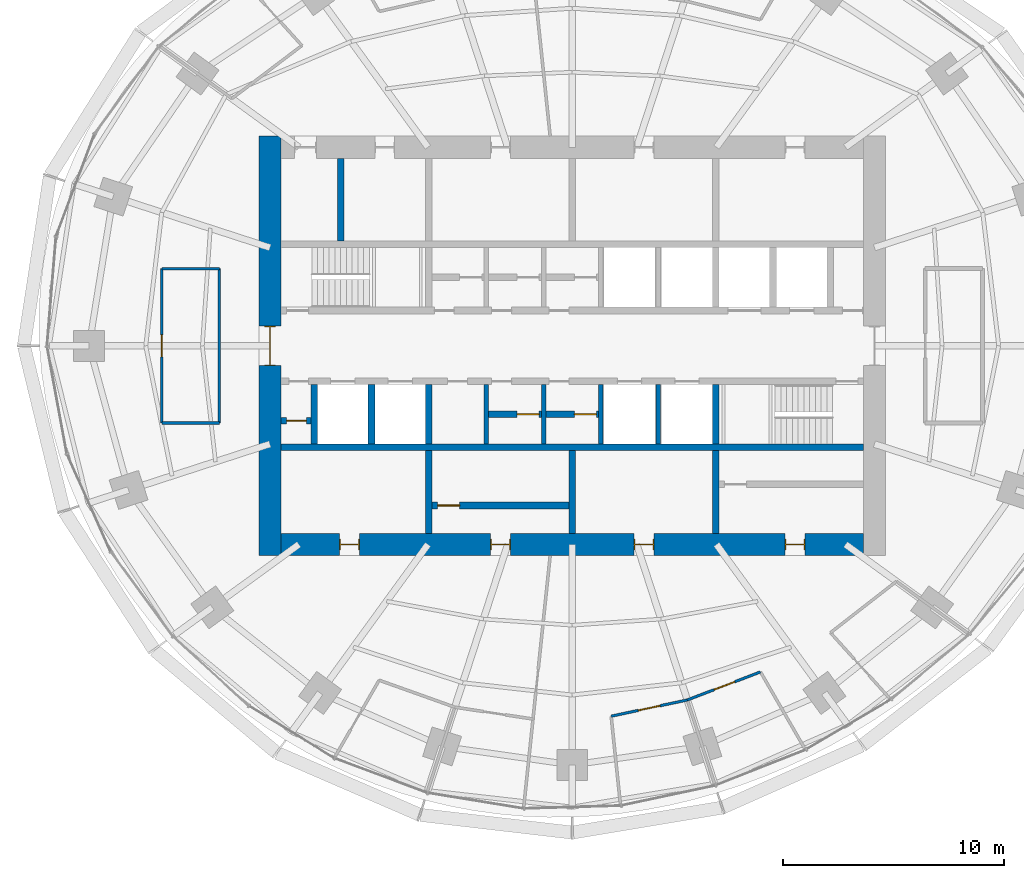
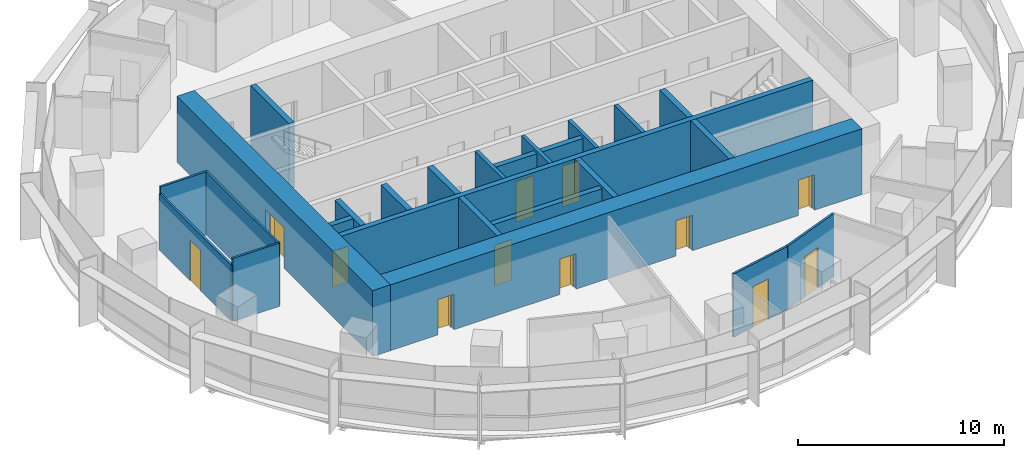
# One storey, part 10 of 15: 25 walls, 12 doors, 12 openings.
"""IFC4 building model written with IfcOpenShell, lengths in metres."""

from ifc_helpers import new_model, si_unit, direction, frame, frame_2d, origin, place, context, subcontext, project, spatial, rectangle, extrude, material, layer, layer_set, type_object, element, fill, save


model = new_model("IFC4")

# Units and contexts
model_context = context("Model", 3, precision=1e-05, world=origin(), true_north=direction((0.0, 1.0)))
body_context = subcontext(model_context, "Body", "Model", "MODEL_VIEW")
ifc_project = project(units=[si_unit("LENGTHUNIT", "METRE"), si_unit("AREAUNIT", "SQUARE_METRE"), si_unit("VOLUMEUNIT", "CUBIC_METRE"), si_unit("PLANEANGLEUNIT", "RADIAN"), si_unit("MASSUNIT", "GRAM", prefix="KILO")], contexts=[model_context])

# Site, building, storey
site_placement = place(None, origin())
site = spatial("IfcSite", under=ifc_project, at=site_placement, CompositionType="ELEMENT")
building_placement = place(site_placement, origin())
building = spatial("IfcBuilding", under=site, at=building_placement, Name="Marramba Exchange Tower", CompositionType="ELEMENT")
storey_placement = place(building_placement, frame((0.0, 0.0, 191.60009765625)))
storey = spatial("IfcBuildingStorey", under=building, at=storey_placement, Name="L46", CompositionType="ELEMENT", Elevation=191.60009765625)

# Walls
ifc_material_1 = material(Name="Concrete N50", Category="concrete")
ifc_layer_1 = layer(ifc_material_1, 0.199951171875)
ifc_layer_set_1 = layer_set([ifc_layer_1], Name="Core shaft wall 200")
wall_type_1 = type_object("IfcWallType", Name="Core shaft wall 200", PredefinedType="SHEAR", material=ifc_layer_set_1)
for number, where, z_axis, x_axis, name in (
    (1, (-3.89990234375, -1.75, 0.0), (0.0, 0.0, 1.0), (0.0, -1.0, 0.0), "Core wall SHS1 L46"),
    (2, (-1.300048828125, -1.75, 0.0), (0.0, 0.0, 1.0), (0.0, -1.0, 0.0), "Core wall SHS2 L46"),
    (3, (1.300048828125, -1.75, 0.0), (0.0, 0.0, 1.0), (0.0, -1.0, 0.0), "Core wall SHS3 L46"),
    (4, (3.89990234375, -1.75, 0.0), (0.0, 0.0, 1.0), (0.0, -1.0, 0.0), "Core wall SHS4 L46"),
):
    element("IfcWall", number, at=place(storey_placement, frame(where, z_axis=z_axis, x_axis=x_axis)), inside=storey, type_object=wall_type_1, Name=name, PredefinedType="SHEAR", context=body_context, shape_type="SweptSolid", body=[
        extrude(rectangle(XDim=2.699951171875, YDim=0.199951171875, at=frame_2d((1.35009765625, 0.0))), origin(), (0.0, 0.0, 1.0), 3.89990234375),
    ])

# Wall, openings, doors
ifc_layer_2 = layer(ifc_material_1, 1.0)
ifc_layer_set_2 = layer_set([ifc_layer_2], Name="Core wall 1000")
wall_type_2 = type_object("IfcWallType", Name="Core wall 1000", PredefinedType="SHEAR", material=ifc_layer_set_2)
wall_1_placement = place(storey_placement, frame((-13.199951171875, -9.0, 0.0), z_axis=(0.0, 0.0, 1.0), x_axis=(1.0, 0.0, 0.0)))
wall_1 = element("IfcWall", 5, at=wall_1_placement, inside=storey, type_object=wall_type_2, Name="Core wall S L46", PredefinedType="SHEAR", context=body_context, shape_type="SweptSolid", body=[
    extrude(rectangle(XDim=26.39990234375, YDim=1.0, at=frame_2d((13.199951171875, 0.0))), origin(), (0.0, 0.0, 1.0), 3.89990234375),
])
opening_1_placement = place(wall_1_placement, frame((2.64990234375, 0.0, 0.0)))
opening_1 = element("IfcOpeningElement", 6, at=opening_1_placement, cuts=wall_1, Name="Opening D5", PredefinedType="OPENING", context=body_context, shape_type="SweptSolid", body=[
    extrude(rectangle(XDim=0.89990234375, YDim=2.10009765625, at=frame_2d((0.449951171875, 1.050048828125))), frame((0.0, 0.510009765625, 0.0), z_axis=(0.0, -1.0, 0.0), x_axis=(1.0, 0.0, 0.0)), (0.0, 0.0, 1.0), 1.02001953125),
])
opening_2_placement = place(wall_1_placement, frame((9.5, 0.0, 0.0)))
opening_2 = element("IfcOpeningElement", 7, at=opening_2_placement, cuts=wall_1, Name="Opening D5", PredefinedType="OPENING", context=body_context, shape_type="SweptSolid", body=[
    extrude(rectangle(XDim=0.89990234375, YDim=2.10009765625, at=frame_2d((0.449951171875, 1.050048828125))), frame((0.0, 0.510009765625, 0.0), z_axis=(0.0, -1.0, 0.0), x_axis=(1.0, 0.0, 0.0)), (0.0, 0.0, 1.0), 1.02001953125),
])
opening_3_placement = place(wall_1_placement, frame((16.0, 0.0, 0.0)))
opening_3 = element("IfcOpeningElement", 8, at=opening_3_placement, cuts=wall_1, Name="Opening D5", PredefinedType="OPENING", context=body_context, shape_type="SweptSolid", body=[
    extrude(rectangle(XDim=0.89990234375, YDim=2.10009765625, at=frame_2d((0.449951171875, 1.050048828125))), frame((0.0, 0.510009765625, 0.0), z_axis=(0.0, -1.0, 0.0), x_axis=(1.0, 0.0, 0.0)), (0.0, 0.0, 1.0), 1.02001953125),
])
opening_4_placement = place(wall_1_placement, frame((22.85009765625, 0.0, 0.0)))
opening_4 = element("IfcOpeningElement", 9, at=opening_4_placement, cuts=wall_1, Name="Opening D5", PredefinedType="OPENING", context=body_context, shape_type="SweptSolid", body=[
    extrude(rectangle(XDim=0.89990234375, YDim=2.10009765625, at=frame_2d((0.449951171875, 1.050048828125))), frame((0.0, 0.510009765625, 0.0), z_axis=(0.0, -1.0, 0.0), x_axis=(1.0, 0.0, 0.0)), (0.0, 0.0, 1.0), 1.02001953125),
])
ifc_material_2 = material(Name="Steel-framed door", Category="steel")
door_type_1 = type_object("IfcDoorType", Name="Service door 900x2100", OperationType="SINGLE_SWING_LEFT", PredefinedType="DOOR", material=ifc_material_2)
door_1_placement = place(opening_1_placement, origin())
door_1 = element("IfcDoor", 10, at=door_1_placement, inside=storey, type_object=door_type_1, Name="D5 ahu L46", OperationType="SINGLE_SWING_LEFT", OverallHeight=2.10009765625, OverallWidth=0.89990234375, PredefinedType="DOOR", context=body_context, shape_type="SweptSolid", body=[
    extrude(rectangle(XDim=0.81982421875, YDim=2.06005859375, at=frame_2d((0.449951171875, 1.030029296875))), frame((0.0, 0.02490234375, 0.0), z_axis=(0.0, -1.0, 0.0), x_axis=(1.0, 0.0, 0.0)), (0.0, 0.0, 1.0), 0.050048828125),
    extrude(rectangle(XDim=0.04, YDim=2.10009765625, at=frame_2d((0.02001953125, 1.050048828125))), frame((0.0, 0.25, 0.0), z_axis=(0.0, -1.0, 0.0), x_axis=(1.0, 0.0, 0.0)), (0.0, 0.0, 1.0), 0.5),
    extrude(rectangle(XDim=0.04, YDim=2.10009765625, at=frame_2d((0.8798828125, 1.050048828125))), frame((0.0, 0.25, 0.0), z_axis=(0.0, -1.0, 0.0), x_axis=(1.0, 0.0, 0.0)), (0.0, 0.0, 1.0), 0.5),
    extrude(rectangle(XDim=0.81982421875, YDim=0.04, at=frame_2d((0.449951171875, 2.080078125))), frame((0.0, 0.25, 0.0), z_axis=(0.0, -1.0, 0.0), x_axis=(1.0, 0.0, 0.0)), (0.0, 0.0, 1.0), 0.5),
])
fill(opening_1, door_1)
door_2_placement = place(opening_2_placement, origin())
door_2 = element("IfcDoor", 11, at=door_2_placement, inside=storey, type_object=door_type_1, Name="D5 store L46", OperationType="SINGLE_SWING_RIGHT", OverallHeight=2.10009765625, OverallWidth=0.89990234375, PredefinedType="DOOR", context=body_context, shape_type="SweptSolid", body=[
    extrude(rectangle(XDim=0.81982421875, YDim=2.06005859375, at=frame_2d((0.449951171875, 1.030029296875))), frame((0.0, 0.02490234375, 0.0), z_axis=(0.0, -1.0, 0.0), x_axis=(1.0, 0.0, 0.0)), (0.0, 0.0, 1.0), 0.050048828125),
    extrude(rectangle(XDim=0.04, YDim=2.10009765625, at=frame_2d((0.02001953125, 1.050048828125))), frame((0.0, 0.25, 0.0), z_axis=(0.0, -1.0, 0.0), x_axis=(1.0, 0.0, 0.0)), (0.0, 0.0, 1.0), 0.5),
    extrude(rectangle(XDim=0.04, YDim=2.10009765625, at=frame_2d((0.8798828125, 1.050048828125))), frame((0.0, 0.25, 0.0), z_axis=(0.0, -1.0, 0.0), x_axis=(1.0, 0.0, 0.0)), (0.0, 0.0, 1.0), 0.5),
    extrude(rectangle(XDim=0.81982421875, YDim=0.04, at=frame_2d((0.449951171875, 2.080078125))), frame((0.0, 0.25, 0.0), z_axis=(0.0, -1.0, 0.0), x_axis=(1.0, 0.0, 0.0)), (0.0, 0.0, 1.0), 0.5),
])
fill(opening_2, door_2)
door_3_placement = place(opening_3_placement, origin())
door_3 = element("IfcDoor", 12, at=door_3_placement, inside=storey, type_object=door_type_1, Name="D5 switch L46", OperationType="SINGLE_SWING_RIGHT", OverallHeight=2.10009765625, OverallWidth=0.89990234375, PredefinedType="DOOR", context=body_context, shape_type="SweptSolid", body=[
    extrude(rectangle(XDim=0.81982421875, YDim=2.06005859375, at=frame_2d((0.449951171875, 1.030029296875))), frame((0.0, 0.02490234375, 0.0), z_axis=(0.0, -1.0, 0.0), x_axis=(1.0, 0.0, 0.0)), (0.0, 0.0, 1.0), 0.050048828125),
    extrude(rectangle(XDim=0.04, YDim=2.10009765625, at=frame_2d((0.02001953125, 1.050048828125))), frame((0.0, 0.25, 0.0), z_axis=(0.0, -1.0, 0.0), x_axis=(1.0, 0.0, 0.0)), (0.0, 0.0, 1.0), 0.5),
    extrude(rectangle(XDim=0.04, YDim=2.10009765625, at=frame_2d((0.8798828125, 1.050048828125))), frame((0.0, 0.25, 0.0), z_axis=(0.0, -1.0, 0.0), x_axis=(1.0, 0.0, 0.0)), (0.0, 0.0, 1.0), 0.5),
    extrude(rectangle(XDim=0.81982421875, YDim=0.04, at=frame_2d((0.449951171875, 2.080078125))), frame((0.0, 0.25, 0.0), z_axis=(0.0, -1.0, 0.0), x_axis=(1.0, 0.0, 0.0)), (0.0, 0.0, 1.0), 0.5),
])
fill(opening_3, door_3)
door_4_placement = place(opening_4_placement, origin())
door_4 = element("IfcDoor", 13, at=door_4_placement, inside=storey, type_object=door_type_1, Name="D5 cstore L46", OperationType="SINGLE_SWING_RIGHT", OverallHeight=2.10009765625, OverallWidth=0.89990234375, PredefinedType="DOOR", context=body_context, shape_type="SweptSolid", body=[
    extrude(rectangle(XDim=0.81982421875, YDim=2.06005859375, at=frame_2d((0.449951171875, 1.030029296875))), frame((0.0, 0.02490234375, 0.0), z_axis=(0.0, -1.0, 0.0), x_axis=(1.0, 0.0, 0.0)), (0.0, 0.0, 1.0), 0.050048828125),
    extrude(rectangle(XDim=0.04, YDim=2.10009765625, at=frame_2d((0.02001953125, 1.050048828125))), frame((0.0, 0.25, 0.0), z_axis=(0.0, -1.0, 0.0), x_axis=(1.0, 0.0, 0.0)), (0.0, 0.0, 1.0), 0.5),
    extrude(rectangle(XDim=0.04, YDim=2.10009765625, at=frame_2d((0.8798828125, 1.050048828125))), frame((0.0, 0.25, 0.0), z_axis=(0.0, -1.0, 0.0), x_axis=(1.0, 0.0, 0.0)), (0.0, 0.0, 1.0), 0.5),
    extrude(rectangle(XDim=0.81982421875, YDim=0.04, at=frame_2d((0.449951171875, 2.080078125))), frame((0.0, 0.25, 0.0), z_axis=(0.0, -1.0, 0.0), x_axis=(1.0, 0.0, 0.0)), (0.0, 0.0, 1.0), 0.5),
])
fill(opening_4, door_4)

# Wall, opening, door
wall_2_placement = place(storey_placement, frame((-13.699951171875, 9.5, 0.0), z_axis=(0.0, 0.0, 1.0), x_axis=(0.0, -1.0, 0.0)))
wall_2 = element("IfcWall", 14, at=wall_2_placement, inside=storey, type_object=wall_type_2, Name="Core wall W L46", PredefinedType="SHEAR", context=body_context, shape_type="SweptSolid", body=[
    extrude(rectangle(XDim=19.0, YDim=1.0, at=frame_2d((9.5, 0.0))), origin(), (0.0, 0.0, 1.0), 3.89990234375),
])
opening_5_placement = place(wall_2_placement, frame((8.60009765625, 0.0, 0.0)))
opening_5 = element("IfcOpeningElement", 15, at=opening_5_placement, cuts=wall_2, Name="Opening D1", PredefinedType="OPENING", context=body_context, shape_type="SweptSolid", body=[
    extrude(rectangle(XDim=1.800048828125, YDim=2.39990234375, at=frame_2d((0.89990234375, 1.199951171875))), frame((0.0, 0.510009765625, 0.0), z_axis=(0.0, -1.0, 0.0), x_axis=(1.0, 0.0, 0.0)), (0.0, 0.0, 1.0), 1.02001953125),
])
door_type_2 = type_object("IfcDoorType", Name="Lobby exit door 1800x2400", OperationType="DOUBLE_DOOR_SINGLE_SWING", PredefinedType="DOOR", material=ifc_material_2)
door_5_placement = place(opening_5_placement, origin())
door_5 = element("IfcDoor", 16, at=door_5_placement, inside=storey, type_object=door_type_2, Name="D1 lobby exit west L46", OperationType="DOUBLE_DOOR_SINGLE_SWING", OverallHeight=2.39990234375, OverallWidth=1.800048828125, PredefinedType="DOOR", context=body_context, shape_type="SweptSolid", body=[
    extrude(rectangle(XDim=1.719970703125, YDim=2.35986328125, at=frame_2d((0.89990234375, 1.179931640625))), frame((0.0, 0.02490234375, 0.0), z_axis=(0.0, -1.0, 0.0), x_axis=(1.0, 0.0, 0.0)), (0.0, 0.0, 1.0), 0.050048828125),
    extrude(rectangle(XDim=0.04, YDim=2.39990234375, at=frame_2d((0.02001953125, 1.199951171875))), frame((0.0, 0.25, 0.0), z_axis=(0.0, -1.0, 0.0), x_axis=(1.0, 0.0, 0.0)), (0.0, 0.0, 1.0), 0.5),
    extrude(rectangle(XDim=0.04, YDim=2.39990234375, at=frame_2d((1.780029296875, 1.199951171875))), frame((0.0, 0.25, 0.0), z_axis=(0.0, -1.0, 0.0), x_axis=(1.0, 0.0, 0.0)), (0.0, 0.0, 1.0), 0.5),
    extrude(rectangle(XDim=1.719970703125, YDim=0.04, at=frame_2d((0.89990234375, 2.3798828125))), frame((0.0, 0.25, 0.0), z_axis=(0.0, -1.0, 0.0), x_axis=(1.0, 0.0, 0.0)), (0.0, 0.0, 1.0), 0.5),
])
fill(opening_5, door_5)

# Walls
ifc_layer_3 = layer(ifc_material_1, 0.300048828125)
ifc_layer_set_3 = layer_set([ifc_layer_3], Name="Core wall 300")
wall_type_3 = type_object("IfcWallType", Name="Core wall 300", PredefinedType="SHEAR", material=ifc_layer_set_3)
wall_3_placement = place(storey_placement, frame((-13.199951171875, -4.60009765625, 0.0), z_axis=(0.0, 0.0, 1.0), x_axis=(1.0, 0.0, 0.0)))
element("IfcWall", 17, at=wall_3_placement, inside=storey, type_object=wall_type_3, Name="Core wall BS L46", PredefinedType="SHEAR", context=body_context, shape_type="SweptSolid", body=[
    extrude(rectangle(XDim=26.39990234375, YDim=0.300048828125, at=frame_2d((13.199951171875, 0.0))), origin(), (0.0, 0.0, 1.0), 3.89990234375),
])
wall_4_placement = place(storey_placement, frame((-6.5, -1.75, 0.0), z_axis=(0.0, 0.0, 1.0), x_axis=(0.0, -1.0, 0.0)))
element("IfcWall", 18, at=wall_4_placement, inside=storey, type_object=wall_type_3, Name="Core wall X0Sa L46", PredefinedType="SHEAR", context=body_context, shape_type="SweptSolid", body=[
    extrude(rectangle(XDim=2.699951171875, YDim=0.300048828125, at=frame_2d((1.35009765625, 0.0))), origin(), (0.0, 0.0, 1.0), 3.89990234375),
])
wall_5_placement = place(storey_placement, frame((-6.5, -4.75, 0.0), z_axis=(0.0, 0.0, 1.0), x_axis=(0.0, -1.0, 0.0)))
element("IfcWall", 19, at=wall_5_placement, inside=storey, type_object=wall_type_3, Name="Core wall X0Sb L46", PredefinedType="SHEAR", context=body_context, shape_type="SweptSolid", body=[
    extrude(rectangle(XDim=3.75, YDim=0.300048828125, at=frame_2d((1.875, 0.0))), origin(), (0.0, 0.0, 1.0), 3.89990234375),
])
wall_6_placement = place(storey_placement, frame((6.5, -1.75, 0.0), z_axis=(0.0, 0.0, 1.0), x_axis=(0.0, -1.0, 0.0)))
element("IfcWall", 20, at=wall_6_placement, inside=storey, type_object=wall_type_3, Name="Core wall X1Sa L46", PredefinedType="SHEAR", context=body_context, shape_type="SweptSolid", body=[
    extrude(rectangle(XDim=2.699951171875, YDim=0.300048828125, at=frame_2d((1.35009765625, 0.0))), origin(), (0.0, 0.0, 1.0), 3.89990234375),
])
for number, where, z_axis, x_axis, name in (
    (21, (6.5, -4.75, 0.0), (0.0, 0.0, 1.0), (0.0, -1.0, 0.0), "Core wall X1Sb L46"),
    (22, (0.0, -4.75, 0.0), (0.0, 0.0, 1.0), (0.0, -1.0, 0.0), "Core wall MS L46"),
    (23, (-10.5, 4.75, 0.0), (0.0, 0.0, 1.0), (0.0, 1.0, 0.0), "Core wall WD L46"),
):
    element("IfcWall", number, at=place(storey_placement, frame(where, z_axis=z_axis, x_axis=x_axis)), inside=storey, type_object=wall_type_3, Name=name, PredefinedType="SHEAR", context=body_context, shape_type="SweptSolid", body=[
        extrude(rectangle(XDim=3.75, YDim=0.300048828125, at=frame_2d((1.875, 0.0))), origin(), (0.0, 0.0, 1.0), 3.89990234375),
    ])
ifc_material_3 = material(Name="Core-filled concrete blockwork", Category="masonry")
ifc_layer_4 = layer(ifc_material_3, 0.300048828125)
ifc_layer_set_4 = layer_set([ifc_layer_4], Name="Lift shaft wall 300")
wall_type_4 = type_object("IfcWallType", Name="Lift shaft wall 300", PredefinedType="SOLIDWALL", material=ifc_layer_set_4)
for number, where, z_axis, x_axis, name in (
    (24, (-9.10009765625, -1.75, 0.0), (0.0, 0.0, 1.0), (0.0, -1.0, 0.0), "Lift shaft wall W1 L46"),
    (25, (-11.699951171875, -1.75, 0.0), (0.0, 0.0, 1.0), (0.0, -1.0, 0.0), "Lift shaft wall W2 L46"),
):
    element("IfcWall", number, at=place(storey_placement, frame(where, z_axis=z_axis, x_axis=x_axis)), inside=storey, type_object=wall_type_4, Name=name, PredefinedType="SOLIDWALL", context=body_context, shape_type="SweptSolid", body=[
        extrude(rectangle(XDim=2.699951171875, YDim=0.300048828125, at=frame_2d((1.35009765625, 0.0))), origin(), (0.0, 0.0, 1.0), 3.739990234375),
    ])
ifc_material_4 = material(Name="Plasterboard on steel studs", Category="steel")
ifc_layer_5 = layer(ifc_material_4, 0.1201171875)
ifc_layer_set_5 = layer_set([ifc_layer_5], Name="Partition 120")
wall_type_5 = type_object("IfcWallType", Name="Partition 120", PredefinedType="PARTITIONING", material=ifc_layer_set_5)
wall_7_placement = place(storey_placement, frame((-16.0, -3.5, 0.0), z_axis=(0.0, 0.0, 1.0), x_axis=(-1.0, 0.0, 0.0)))
element("IfcWall", 26, at=wall_7_placement, inside=storey, type_object=wall_type_5, Name="Partition L46 01", PredefinedType="PARTITIONING", context=body_context, shape_type="SweptSolid", body=[
    extrude(rectangle(XDim=2.60009765625, YDim=0.1201171875, at=frame_2d((1.300048828125, 0.0))), origin(), (0.0, 0.0, 1.0), 3.739990234375),
])

# Wall, opening, door
wall_8_placement = place(storey_placement, frame((5.216064453125, -16.05322265625, 0.0), z_axis=(0.0, 0.0, 1.0), x_axis=(-0.978033661385, -0.208447012927, 0.0)))
wall_8 = element("IfcWall", 27, at=wall_8_placement, inside=storey, type_object=wall_type_5, Name="Partition L46 08", PredefinedType="PARTITIONING", context=body_context, shape_type="SweptSolid", body=[
    extrude(rectangle(XDim=3.529052734375, YDim=0.1201171875, at=frame_2d((1.7646484375, 0.0))), origin(), (0.0, 0.0, 1.0), 3.739990234375),
])
opening_6_placement = place(wall_8_placement, frame((1.263916015625, 0.0, 0.0)))
opening_6 = element("IfcOpeningElement", 28, at=opening_6_placement, cuts=wall_8, Name="Opening D9", PredefinedType="OPENING", context=body_context, shape_type="SweptSolid", body=[
    extrude(rectangle(XDim=1.0, YDim=2.39990234375, at=frame_2d((0.5, 1.199951171875))), frame((0.0, 0.070068359375, 0.0), z_axis=(0.0, -1.0, 0.0), x_axis=(1.0, 0.0, 0.0)), (0.0, 0.0, 1.0), 0.14013671875),
])
ifc_material_5 = material(Name="Timber door", Category="wood")
door_type_3 = type_object("IfcDoorType", Name="Room door 1000x2400", OperationType="SINGLE_SWING_LEFT", PredefinedType="DOOR", material=ifc_material_5)
door_6_placement = place(opening_6_placement, origin())
door_6 = element("IfcDoor", 29, at=door_6_placement, inside=storey, type_object=door_type_3, Name="D9 Office 8 L46", OperationType="SINGLE_SWING_RIGHT", OverallHeight=2.39990234375, OverallWidth=1.0, PredefinedType="DOOR", context=body_context, shape_type="SweptSolid", body=[
    extrude(rectangle(XDim=1.0, YDim=2.39990234375, at=frame_2d((0.5, 1.199951171875))), frame((0.0, 0.02490234375, 0.0), z_axis=(0.0, -1.0, 0.0), x_axis=(1.0, 0.0, 0.0)), (0.0, 0.0, 1.0), 0.050048828125),
])
fill(opening_6, door_6)

wall_9_placement = place(storey_placement, frame((8.5341796875, -14.78173828125, 0.0), z_axis=(0.0, 0.0, 1.0), x_axis=(-0.933789357777, -0.357823190001, 0.0)))
wall_9 = element("IfcWall", 30, at=wall_9_placement, inside=storey, type_object=wall_type_5, Name="Partition L46 10", PredefinedType="PARTITIONING", context=body_context, shape_type="SweptSolid", body=[
    extrude(rectangle(XDim=3.553466796875, YDim=0.1201171875, at=frame_2d((1.77685546875, 0.0))), origin(), (0.0, 0.0, 1.0), 3.739990234375),
])
opening_7_placement = place(wall_9_placement, frame((1.251953125, 0.0, 0.0)))
opening_7 = element("IfcOpeningElement", 31, at=opening_7_placement, cuts=wall_9, Name="Opening D9", PredefinedType="OPENING", context=body_context, shape_type="SweptSolid", body=[
    extrude(rectangle(XDim=1.0, YDim=2.39990234375, at=frame_2d((0.5, 1.199951171875))), frame((0.0, 0.070068359375, 0.0), z_axis=(0.0, -1.0, 0.0), x_axis=(1.0, 0.0, 0.0)), (0.0, 0.0, 1.0), 0.14013671875),
])
door_7_placement = place(opening_7_placement, origin())
door_7 = element("IfcDoor", 32, at=door_7_placement, inside=storey, type_object=door_type_3, Name="D9 Office 9 L46", OperationType="SINGLE_SWING_RIGHT", OverallHeight=2.39990234375, OverallWidth=1.0, PredefinedType="DOOR", context=body_context, shape_type="SweptSolid", body=[
    extrude(rectangle(XDim=1.0, YDim=2.39990234375, at=frame_2d((0.5, 1.199951171875))), frame((0.0, 0.02490234375, 0.0), z_axis=(0.0, -1.0, 0.0), x_axis=(1.0, 0.0, 0.0)), (0.0, 0.0, 1.0), 0.050048828125),
])
fill(opening_7, door_7)

# Wall
wall_10_placement = place(storey_placement, frame((-18.60009765625, 3.5, 0.0), z_axis=(0.0, 0.0, 1.0), x_axis=(1.0, 0.0, 0.0)))
element("IfcWall", 33, at=wall_10_placement, inside=storey, type_object=wall_type_5, Name="Partition L46 32", PredefinedType="PARTITIONING", context=body_context, shape_type="SweptSolid", body=[
    extrude(rectangle(XDim=2.60009765625, YDim=0.1201171875, at=frame_2d((1.300048828125, 0.0))), origin(), (0.0, 0.0, 1.0), 3.739990234375),
])

# Wall, opening, door
wall_11_placement = place(storey_placement, frame((-18.60009765625, -3.5, 0.0), z_axis=(0.0, 0.0, 1.0), x_axis=(0.0, 1.0, 0.0)))
wall_11 = element("IfcWall", 34, at=wall_11_placement, inside=storey, type_object=wall_type_5, Name="Partition L46 33", PredefinedType="PARTITIONING", context=body_context, shape_type="SweptSolid", body=[
    extrude(rectangle(XDim=7.0, YDim=0.1201171875, at=frame_2d((3.5, 0.0))), origin(), (0.0, 0.0, 1.0), 3.333984375),
])
opening_8_placement = place(wall_11_placement, frame((3.0, 0.0, 0.0)))
opening_8 = element("IfcOpeningElement", 35, at=opening_8_placement, cuts=wall_11, Name="Opening D9", PredefinedType="OPENING", context=body_context, shape_type="SweptSolid", body=[
    extrude(rectangle(XDim=1.0, YDim=2.39990234375, at=frame_2d((0.5, 1.199951171875))), frame((0.0, 0.070068359375, 0.0), z_axis=(0.0, -1.0, 0.0), x_axis=(1.0, 0.0, 0.0)), (0.0, 0.0, 1.0), 0.14013671875),
])
door_8_placement = place(opening_8_placement, frame((1.0, 0.0, 0.0), z_axis=(0.0, 0.0, 1.0), x_axis=(-1.0, 0.0, 0.0)))
door_8 = element("IfcDoor", 36, at=door_8_placement, inside=storey, type_object=door_type_3, Name="D9 Pantry L46", OperationType="SINGLE_SWING_RIGHT", OverallHeight=2.39990234375, OverallWidth=1.0, PredefinedType="DOOR", context=body_context, shape_type="SweptSolid", body=[
    extrude(rectangle(XDim=1.0, YDim=2.39990234375, at=frame_2d((0.5, 1.199951171875))), frame((0.0, 0.025146484375, 0.0), z_axis=(0.0, -1.0, 0.0), x_axis=(1.0, 0.0, 0.0)), (0.0, 0.0, 1.0), 0.050048828125),
])
fill(opening_8, door_8)

# Wall
wall_12_placement = place(storey_placement, frame((-16.0, 3.5, 0.0), z_axis=(0.0, 0.0, 1.0), x_axis=(0.0, -1.0, 0.0)))
element("IfcWall", 37, at=wall_12_placement, inside=storey, type_object=wall_type_5, Name="Partition L46 34", PredefinedType="PARTITIONING", context=body_context, shape_type="SweptSolid", body=[
    extrude(rectangle(XDim=7.0, YDim=0.1201171875, at=frame_2d((3.5, 0.0))), origin(), (0.0, 0.0, 1.0), 3.739990234375),
])

# Wall, opening, door
ifc_layer_6 = layer(ifc_material_3, 0.300048828125)
ifc_layer_set_6 = layer_set([ifc_layer_6], Name="Riser enclosure wall 300")
wall_type_6 = type_object("IfcWallType", Name="Riser enclosure wall 300", PredefinedType="SOLIDWALL", material=ifc_layer_set_6)
wall_13_placement = place(storey_placement, frame((-13.199951171875, -3.39990234375, 0.0), z_axis=(0.0, 0.0, 1.0), x_axis=(1.0, 0.0, 0.0)))
wall_13 = element("IfcWall", 38, at=wall_13_placement, inside=storey, type_object=wall_type_6, Name="Riser enclosure wall L46", PredefinedType="SOLIDWALL", context=body_context, shape_type="SweptSolid", body=[
    extrude(rectangle(XDim=1.349853515625, YDim=0.300048828125, at=frame_2d((0.6748046875, 0.0))), origin(), (0.0, 0.0, 1.0), 3.739990234375),
])
opening_9_placement = place(wall_13_placement, frame((0.25, 0.0, 0.0)))
opening_9 = element("IfcOpeningElement", 39, at=opening_9_placement, cuts=wall_13, Name="Opening D5", PredefinedType="OPENING", context=body_context, shape_type="SweptSolid", body=[
    extrude(rectangle(XDim=0.89990234375, YDim=2.10009765625, at=frame_2d((0.449951171875, 1.050048828125))), frame((0.0, 0.159912109375, 0.0), z_axis=(0.0, -1.0, 0.0), x_axis=(1.0, 0.0, 0.0)), (0.0, 0.0, 1.0), 0.320068359375),
])
door_9_placement = place(opening_9_placement, frame((0.89990234375, 0.0, 0.0), z_axis=(0.0, 0.0, 1.0), x_axis=(-1.0, 0.0, 0.0)))
door_9 = element("IfcDoor", 40, at=door_9_placement, inside=storey, type_object=door_type_1, Name="D5 electrical riser back L46", OperationType="SINGLE_SWING_LEFT", OverallHeight=2.10009765625, OverallWidth=0.89990234375, PredefinedType="DOOR", context=body_context, shape_type="SweptSolid", body=[
    extrude(rectangle(XDim=0.89990234375, YDim=2.10009765625, at=frame_2d((0.449951171875, 1.050048828125))), frame((0.0, 0.025146484375, 0.0), z_axis=(0.0, -1.0, 0.0), x_axis=(1.0, 0.0, 0.0)), (0.0, 0.0, 1.0), 0.050048828125),
])
fill(opening_9, door_9)

ifc_material_6 = material(Name="Plasterboard on steel studs, insulated, unrated", Category="steel")
ifc_layer_7 = layer(ifc_material_6, 0.300048828125)
ifc_layer_set_7 = layer_set([ifc_layer_7], Name="Store partition 300")
wall_type_7 = type_object("IfcWallType", Name="Store partition 300", PredefinedType="PARTITIONING", material=ifc_layer_set_7)
wall_14_placement = place(storey_placement, frame((-3.800048828125, -3.10009765625, 0.0), z_axis=(0.0, 0.0, 1.0), x_axis=(1.0, 0.0, 0.0)))
wall_14 = element("IfcWall", 41, at=wall_14_placement, inside=storey, type_object=wall_type_7, Name="Store partition L46 S2", PredefinedType="PARTITIONING", context=body_context, shape_type="SweptSolid", body=[
    extrude(rectangle(XDim=2.400146484375, YDim=0.300048828125, at=frame_2d((1.2001953125, 0.0))), origin(), (0.0, 0.0, 1.0), 3.739990234375),
])
opening_10_placement = place(wall_14_placement, frame((1.300048828125, 0.0, 0.0)))
opening_10 = element("IfcOpeningElement", 42, at=opening_10_placement, cuts=wall_14, Name="Opening D9", PredefinedType="OPENING", context=body_context, shape_type="SweptSolid", body=[
    extrude(rectangle(XDim=1.0, YDim=2.39990234375, at=frame_2d((0.5, 1.199951171875))), frame((0.0, 0.159912109375, 0.0), z_axis=(0.0, -1.0, 0.0), x_axis=(1.0, 0.0, 0.0)), (0.0, 0.0, 1.0), 0.320068359375),
])
door_10_placement = place(opening_10_placement, origin())
door_10 = element("IfcDoor", 43, at=door_10_placement, inside=storey, type_object=door_type_3, Name="D9 store room S2 L46", OperationType="SINGLE_SWING_RIGHT", OverallHeight=2.39990234375, OverallWidth=1.0, PredefinedType="DOOR", context=body_context, shape_type="SweptSolid", body=[
    extrude(rectangle(XDim=1.0, YDim=2.39990234375, at=frame_2d((0.5, 1.199951171875))), frame((0.0, 0.02490234375, 0.0), z_axis=(0.0, -1.0, 0.0), x_axis=(1.0, 0.0, 0.0)), (0.0, 0.0, 1.0), 0.050048828125),
])
fill(opening_10, door_10)

wall_15_placement = place(storey_placement, frame((-1.199951171875, -3.10009765625, 0.0), z_axis=(0.0, 0.0, 1.0), x_axis=(1.0, 0.0, 0.0)))
wall_15 = element("IfcWall", 44, at=wall_15_placement, inside=storey, type_object=wall_type_7, Name="Store partition L46 S3", PredefinedType="PARTITIONING", context=body_context, shape_type="SweptSolid", body=[
    extrude(rectangle(XDim=2.39990234375, YDim=0.300048828125, at=frame_2d((1.199951171875, 0.0))), origin(), (0.0, 0.0, 1.0), 3.739990234375),
])
opening_11_placement = place(wall_15_placement, frame((1.300048828125, 0.0, 0.0)))
opening_11 = element("IfcOpeningElement", 45, at=opening_11_placement, cuts=wall_15, Name="Opening D9", PredefinedType="OPENING", context=body_context, shape_type="SweptSolid", body=[
    extrude(rectangle(XDim=1.0, YDim=2.39990234375, at=frame_2d((0.5, 1.199951171875))), frame((0.0, 0.159912109375, 0.0), z_axis=(0.0, -1.0, 0.0), x_axis=(1.0, 0.0, 0.0)), (0.0, 0.0, 1.0), 0.320068359375),
])
door_11_placement = place(opening_11_placement, origin())
door_11 = element("IfcDoor", 46, at=door_11_placement, inside=storey, type_object=door_type_3, Name="D9 store room S3 L46", OperationType="SINGLE_SWING_RIGHT", OverallHeight=2.39990234375, OverallWidth=1.0, PredefinedType="DOOR", context=body_context, shape_type="SweptSolid", body=[
    extrude(rectangle(XDim=1.0, YDim=2.39990234375, at=frame_2d((0.5, 1.199951171875))), frame((0.0, 0.02490234375, 0.0), z_axis=(0.0, -1.0, 0.0), x_axis=(1.0, 0.0, 0.0)), (0.0, 0.0, 1.0), 0.050048828125),
])
fill(opening_11, door_11)

wall_16_placement = place(storey_placement, frame((-6.35009765625, -7.239990234375, 0.0), z_axis=(0.0, 0.0, 1.0), x_axis=(1.0, 0.0, 0.0)))
wall_16 = element("IfcWall", 47, at=wall_16_placement, inside=storey, type_object=wall_type_7, Name="Store partition L46 store", PredefinedType="PARTITIONING", context=body_context, shape_type="SweptSolid", body=[
    extrude(rectangle(XDim=6.2001953125, YDim=0.300048828125, at=frame_2d((3.10009765625, 0.0))), origin(), (0.0, 0.0, 1.0), 3.739990234375),
])
opening_12_placement = place(wall_16_placement, frame((0.25, 0.0, 0.0)))
opening_12 = element("IfcOpeningElement", 48, at=opening_12_placement, cuts=wall_16, Name="Opening D9", PredefinedType="OPENING", context=body_context, shape_type="SweptSolid", body=[
    extrude(rectangle(XDim=1.0, YDim=2.39990234375, at=frame_2d((0.5, 1.199951171875))), frame((0.0, 0.159912109375, 0.0), z_axis=(0.0, -1.0, 0.0), x_axis=(1.0, 0.0, 0.0)), (0.0, 0.0, 1.0), 0.320068359375),
])
door_12_placement = place(opening_12_placement, frame((1.0, 0.0, 0.0), z_axis=(0.0, 0.0, 1.0), x_axis=(-1.0, 0.0, 0.0)))
door_12 = element("IfcDoor", 49, at=door_12_placement, inside=storey, type_object=door_type_3, Name="D9 stationery store L46", OperationType="SINGLE_SWING_RIGHT", OverallHeight=2.39990234375, OverallWidth=1.0, PredefinedType="DOOR", context=body_context, shape_type="SweptSolid", body=[
    extrude(rectangle(XDim=1.0, YDim=2.39990234375, at=frame_2d((0.5, 1.199951171875))), frame((0.0, 0.025146484375, 0.0), z_axis=(0.0, -1.0, 0.0), x_axis=(1.0, 0.0, 0.0)), (0.0, 0.0, 1.0), 0.050048828125),
])
fill(opening_12, door_12)

save(model, "model.ifc")
